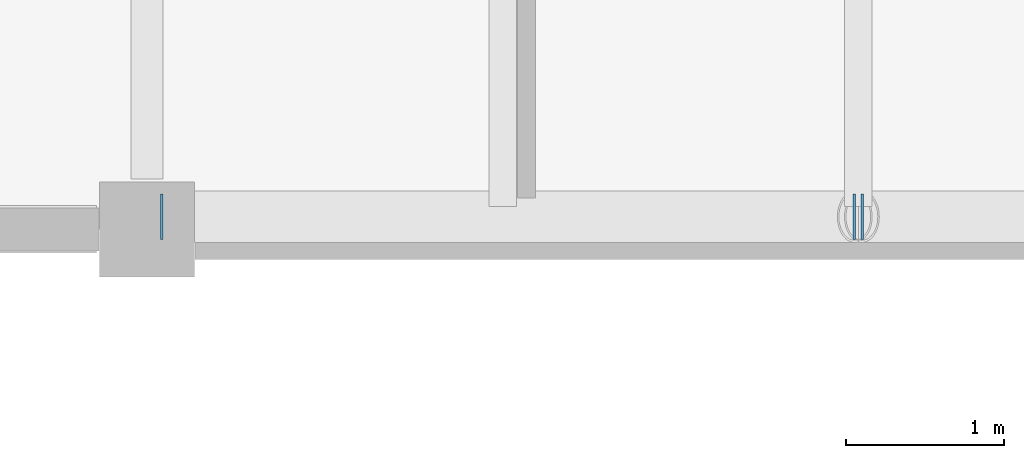
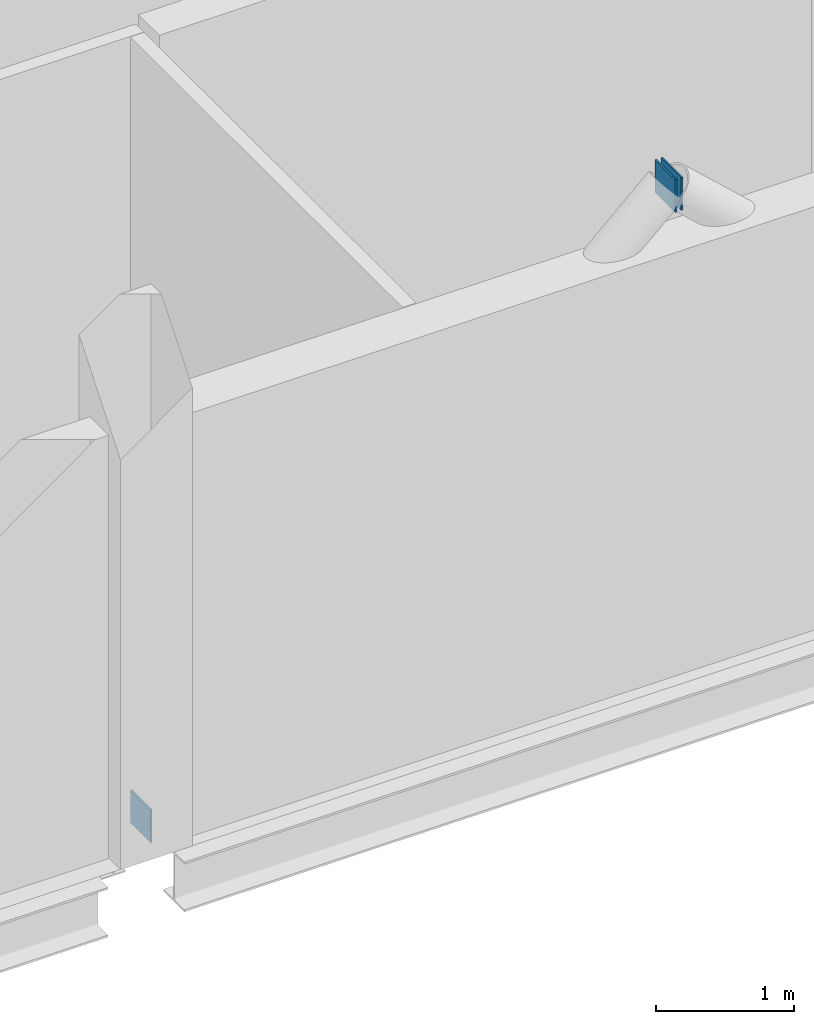
# One storey, part 114 of 136: 3 plates.
"""IFC4 building model written with IfcOpenShell, lengths in metres."""

from ifc_helpers import new_model, si_unit, direction, frame, origin, origin_2d, place, context, subcontext, project, spatial, rectangle, extrude, material, layer, layer_set, type_object, element, save


model = new_model("IFC4")

# Units and contexts
model_context = context("Model", 3, precision=1e-05, world=origin(), true_north=direction((0.0, 1.0)))
body_context = subcontext(model_context, "Body", "Model", "MODEL_VIEW")
ifc_project = project(units=[si_unit("LENGTHUNIT", "METRE"), si_unit("AREAUNIT", "SQUARE_METRE"), si_unit("VOLUMEUNIT", "CUBIC_METRE"), si_unit("PLANEANGLEUNIT", "RADIAN"), si_unit("MASSUNIT", "GRAM", prefix="KILO")], contexts=[model_context])

# Site, building, storey
site_placement = place(None, origin())
site = spatial("IfcSite", under=ifc_project, at=site_placement, CompositionType="ELEMENT")
building_placement = place(site_placement, origin())
building = spatial("IfcBuilding", under=site, at=building_placement, Name="Shengluoqiao Park Theatre", CompositionType="ELEMENT")
storey_placement = place(building_placement, frame((0.0, 0.0, 10.0)))
storey = spatial("IfcBuildingStorey", under=building, at=storey_placement, Name="L02", CompositionType="ELEMENT", Elevation=10.0)

# Plates
ifc_material = material(Name="Steel Q355", Category="steel")
ifc_layer = layer(ifc_material, 0.013916015625, Name="Steel Q355")
ifc_layer_set = layer_set([ifc_layer], Name="Steel Q355")
plate_type = type_object("IfcPlateType", Name="STR-PLT-EC-280", PredefinedType="SHEET", material=ifc_layer_set)
for number, where, z_axis, x_axis, name in (
    (1, (121.492919921875, 84.080078125, -0.0400390625), (0.0, 0.0, 1.0), (1.0, 0.0, 0.0), "Hollow Tube End Cap Plate 00176"),
    (2, (125.87451171875, 84.080078125, 3.9921875), (0.0, 0.0, 1.0), (1.0, 0.0, 0.0), "Hollow Tube End Cap Plate 00177"),
    (3, (125.92529296875, 84.080078125, 3.9921875), (0.0, 0.0, 1.0), (-1.0, 0.0, 0.0), "Hollow Tube End Cap Plate 00179"),
):
    element("IfcPlate", number, at=place(storey_placement, frame(where, z_axis=z_axis, x_axis=x_axis)), inside=storey, type_object=plate_type, Name=name, PredefinedType="SHEET", context=body_context, shape_type="SweptSolid", body=[
        extrude(rectangle(XDim=0.013916015625, YDim=0.2900390625, at=origin_2d()), origin(), (0.0, 0.0, 1.0), 0.2900390625),
    ])

save(model, "model.ifc")
